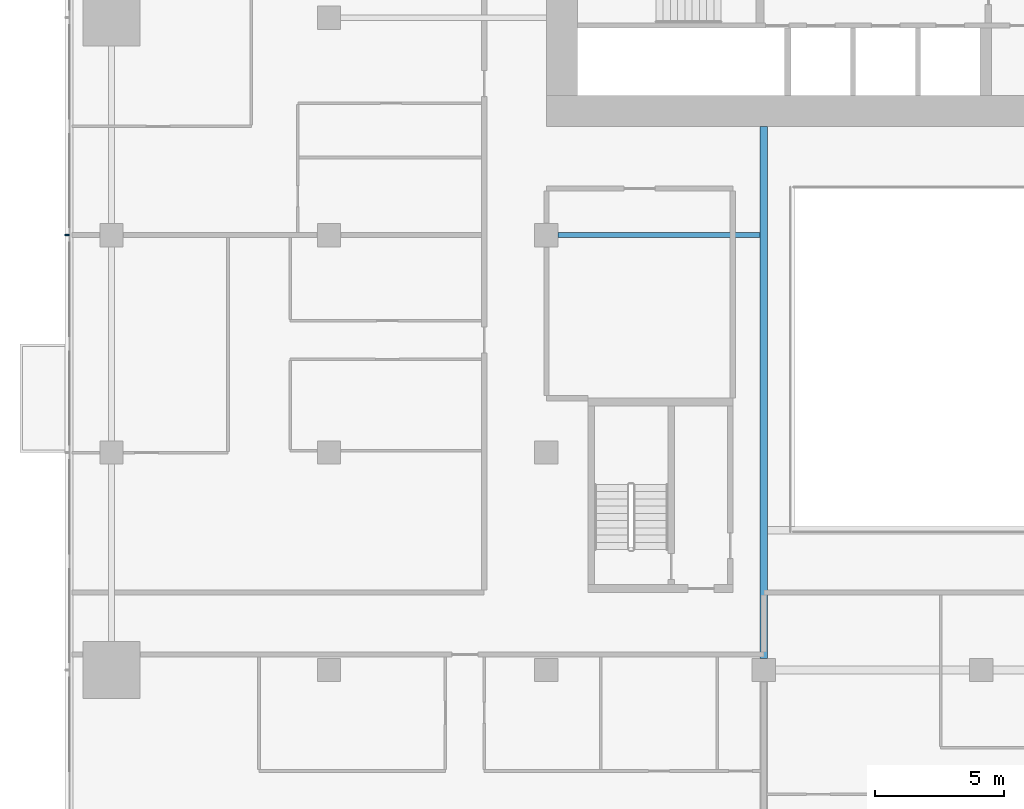
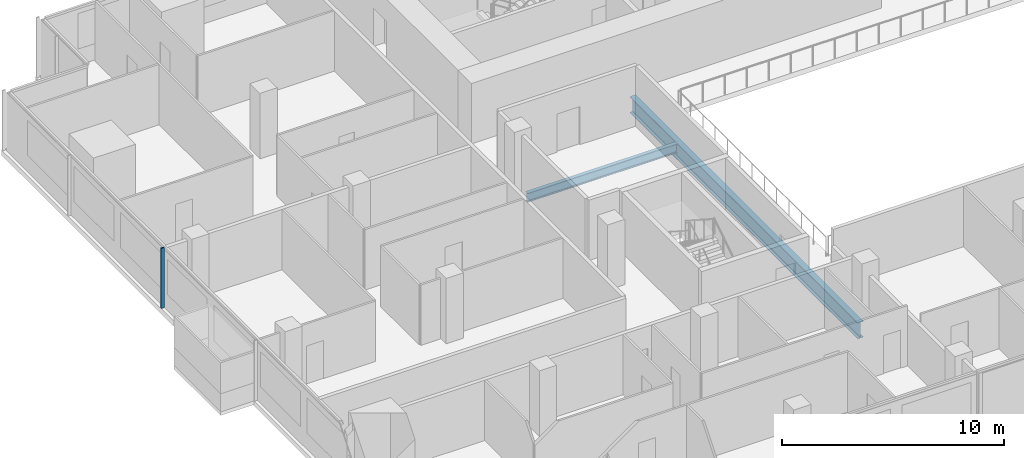
# One storey, part 4 of 27: 2 beams, 1 member, 1 element without a shape of its own.
"""IFC4 building model written with IfcOpenShell, lengths in metres."""

from ifc_helpers import new_model, si_unit, direction, frame, origin, origin_2d, place, context, subcontext, project, spatial, rectangle, i_section, extrude, material, material_profile, profile_set, type_object, element, aggregate, save


model = new_model("IFC4")

# Units and contexts
model_context = context("Model", 3, precision=1e-05, world=origin(), true_north=direction((0.0, 1.0)))
body_context = subcontext(model_context, "Body", "Model", "MODEL_VIEW")
ifc_project = project(units=[si_unit("LENGTHUNIT", "METRE"), si_unit("AREAUNIT", "SQUARE_METRE"), si_unit("VOLUMEUNIT", "CUBIC_METRE"), si_unit("PLANEANGLEUNIT", "RADIAN"), si_unit("MASSUNIT", "GRAM", prefix="KILO")], contexts=[model_context])

# Site, building, storey
site_placement = place(None, origin())
site = spatial("IfcSite", under=ifc_project, at=site_placement, CompositionType="ELEMENT")
building_placement = place(site_placement, origin())
building = spatial("IfcBuilding", under=site, at=building_placement, Name="Saffron Gate Tower", CompositionType="ELEMENT")
storey_placement = place(building_placement, frame((0.0, 0.0, 66.0)))
storey = spatial("IfcBuildingStorey", under=building, at=storey_placement, Name="L15", CompositionType="ELEMENT", Elevation=66.0)

# Beams
ifc_material_1 = material(Name="Structural steel S355", Category="steel")
ifc_material_profile_1 = material_profile(ifc_material_1, i_section(OverallWidth=0.199951171875, OverallDepth=0.5, WebThickness=0.01025390625, FlangeThickness=0.01611328125, FilletRadius=0.02099609375, at=origin_2d()))
ifc_profile_set_1 = profile_set([ifc_material_profile_1], Name="Structural steel S355")
beam_type_1 = type_object("IfcBeamType", Name="B10 IPE 500", PredefinedType="BEAM", material=ifc_profile_set_1)
beam_1_placement = place(storey_placement, frame((67.050048828125, 57.0, -0.530029296875), z_axis=(1.0, 0.0, 0.0), x_axis=(0.0, 1.0, 0.0)))
element("IfcBeam", 1, at=beam_1_placement, inside=storey, type_object=beam_type_1, Name="B10 CORE TIE BEAM", PredefinedType="BEAM", context=body_context, shape_type="SweptSolid", body=[
    extrude(i_section(OverallWidth=0.199951171875, OverallDepth=0.5, WebThickness=0.01025390625, FlangeThickness=0.01611328125, FilletRadius=0.02099609375, at=origin_2d()), origin(), (0.0, 0.0, 1.0), 7.800048828125),
])
ifc_material_profile_2 = material_profile(ifc_material_1, i_section(OverallWidth=0.300048828125, OverallDepth=0.889892578125, WebThickness=0.01611328125, FlangeThickness=0.030029296875, FilletRadius=0.030029296875, at=origin_2d()))
ifc_profile_set_2 = profile_set([ifc_material_profile_2], Name="Structural steel S355")
beam_type_2 = type_object("IfcBeamType", Name="B19 HEA 900", PredefinedType="BEAM", material=ifc_profile_set_2)
beam_2_placement = place(storey_placement, frame((75.0, 40.64990234375, -0.72509765625), z_axis=(0.0, 1.0, 0.0), x_axis=(-1.0, 0.0, 0.0)))
element("IfcBeam", 2, at=beam_2_placement, inside=storey, type_object=beam_type_2, Name="B19 ATRIUM GIRDER", PredefinedType="BEAM", context=body_context, shape_type="SweptSolid", body=[
    extrude(i_section(OverallWidth=0.300048828125, OverallDepth=0.889892578125, WebThickness=0.01611328125, FlangeThickness=0.030029296875, FilletRadius=0.030029296875, at=origin_2d()), origin(), (0.0, 0.0, 1.0), 20.550048828125),
])

# Curtain wall, member
ifc_material_2 = material(Name="Aluminium, bronze anodised", Category="aluminium")
curtain_wall_type = type_object("IfcCurtainWallType", Name="CWS2 curtain wall side facades", PredefinedType="NOTDEFINED", material=ifc_material_2)
curtain_wall_placement = place(storey_placement, origin())
curtain_wall = element("IfcCurtainWall", 3, at=curtain_wall_placement, inside=storey, type_object=curtain_wall_type, Name="CWS2 run 10", PredefinedType="NOTDEFINED")
ifc_material_profile_3 = material_profile(ifc_material_2, rectangle(XDim=0.159912109375, YDim=0.06005859375, at=origin_2d()))
ifc_profile_set_3 = profile_set([ifc_material_profile_3], Name="Aluminium, bronze anodised")
member_type = type_object("IfcMemberType", Name="CWS2 mullion 60x160", PredefinedType="MULLION", material=ifc_profile_set_3)
member_placement = place(storey_placement, frame((48.080078125, 57.0, 0.0), z_axis=(0.0, 0.0, 1.0), x_axis=(1.0, 0.0, 0.0)))
member = element("IfcMember", 4, at=member_placement, type_object=member_type, Name="CWS2 mullion 3", PredefinedType="MULLION", context=body_context, shape_type="SweptSolid", body=[
    extrude(rectangle(XDim=0.159912109375, YDim=0.06005859375, at=origin_2d()), origin(), (0.0, 0.0, 1.0), 3.320068359375),
])
aggregate(curtain_wall, [member])

save(model, "model.ifc")
